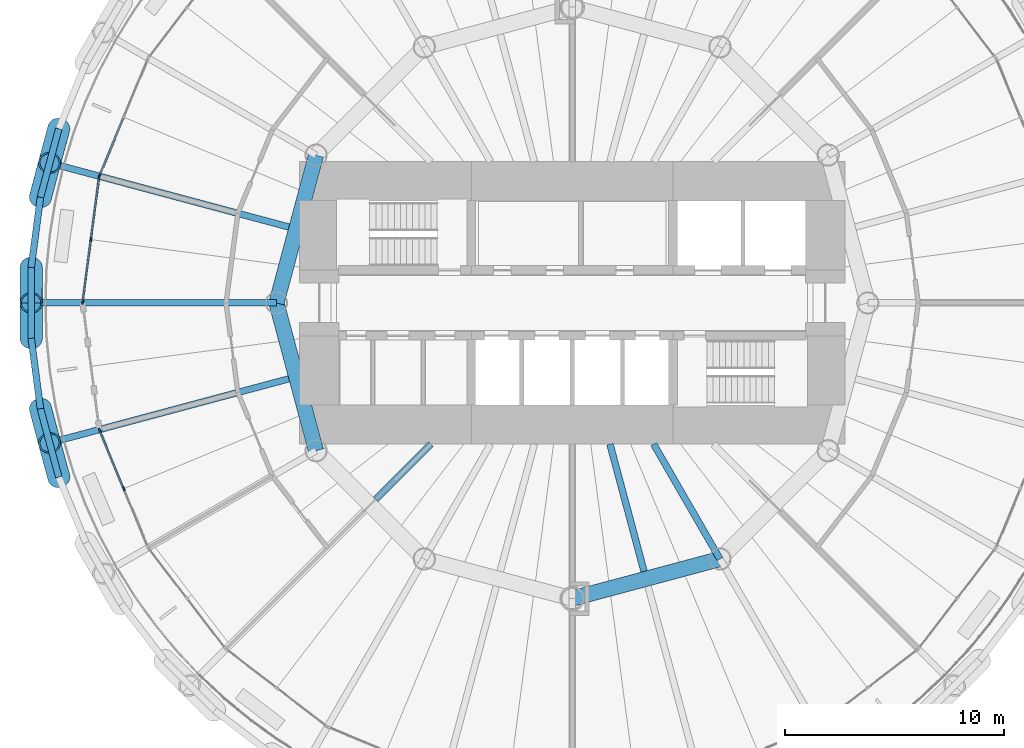
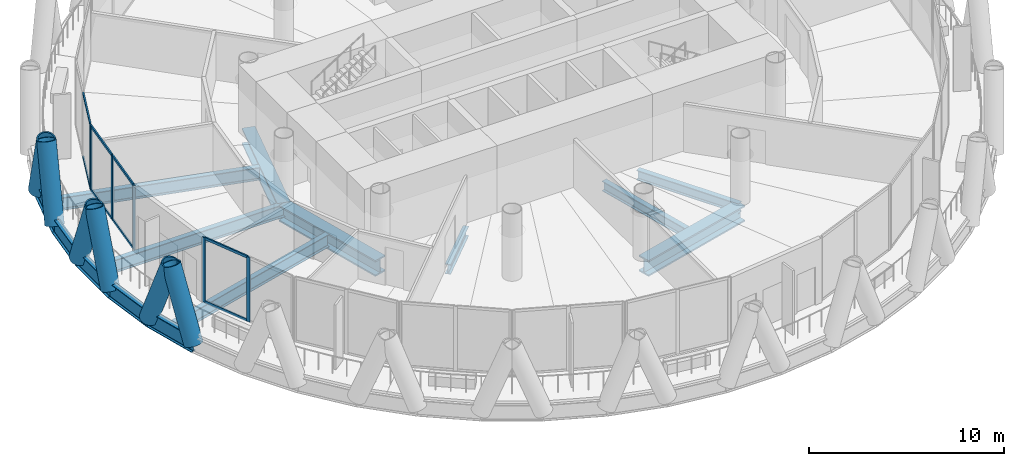
# One storey, part 3 of 15: 20 members, 14 beams, 3 elements without a shape of their own.
"""IFC4 building model written with IfcOpenShell, lengths in metres."""

from ifc_helpers import new_model, si_unit, direction, frame, origin, origin_2d, place, context, subcontext, project, spatial, rectangle, hollow_circle, i_section, extrude, material, material_profile, profile_set, type_object, element, aggregate, save


model = new_model("IFC4")

# Units and contexts
model_context = context("Model", 3, precision=1e-05, world=origin(), true_north=direction((0.0, 1.0)))
body_context = subcontext(model_context, "Body", "Model", "MODEL_VIEW")
ifc_project = project(units=[si_unit("LENGTHUNIT", "METRE"), si_unit("AREAUNIT", "SQUARE_METRE"), si_unit("VOLUMEUNIT", "CUBIC_METRE"), si_unit("PLANEANGLEUNIT", "RADIAN"), si_unit("MASSUNIT", "GRAM", prefix="KILO")], contexts=[model_context])

# Site, building, storey
site_placement = place(None, origin())
site = spatial("IfcSite", under=ifc_project, at=site_placement, CompositionType="ELEMENT")
building_placement = place(site_placement, origin())
building = spatial("IfcBuilding", under=site, at=building_placement, Name="Qaws Media Tower", CompositionType="ELEMENT")
storey_placement = place(building_placement, frame((0.0, 0.0, 156.199951171875)))
storey = spatial("IfcBuildingStorey", under=building, at=storey_placement, Name="L35", CompositionType="ELEMENT", Elevation=156.199951171875)

# Curtain wall, member
ifc_material_1 = material(Name="Aluminium and clear glass", Category="aluminium")
curtain_wall_type = type_object("IfcCurtainWallType", Name="Unitised curtain wall CW-B", PredefinedType="NOTDEFINED", material=ifc_material_1)
curtain_wall_1_placement = place(storey_placement, origin())
curtain_wall_1 = element("IfcCurtainWall", 1, at=curtain_wall_1_placement, inside=storey, type_object=curtain_wall_type, Name="CWB curtain wall L35-11", PredefinedType="NOTDEFINED")
ifc_material_2 = material(Name="Aluminium mullion", Category="aluminium")
ifc_material_profile_1 = material_profile(ifc_material_2, rectangle(XDim=0.080078125, YDim=0.199951171875, at=origin_2d()), Name="80x200")
ifc_profile_set_1 = profile_set([ifc_material_profile_1], Name="Aluminium mullion")
member_type_1 = type_object("IfcMemberType", Name="Curtain wall mullion 80x200", PredefinedType="MULLION", material=ifc_profile_set_1)
member_1_placement = place(storey_placement, frame((38.4267578125, 55.821533203125, 0.0), z_axis=(0.0, 0.0, 1.0), x_axis=(0.923879550772, -0.38268338828, 0.0)))
member_1 = element("IfcMember", 2, at=member_1_placement, type_object=member_type_1, Name="CWB mullion 3", PredefinedType="MULLION", context=body_context, shape_type="SweptSolid", body=[
    extrude(rectangle(XDim=0.080078125, YDim=0.199951171875, at=origin_2d()), origin(), (0.0, 0.0, 1.0), 4.0400390625),
])

# Curtain wall, members
curtain_wall_2_placement = place(storey_placement, origin())
curtain_wall_2 = element("IfcCurtainWall", 3, at=curtain_wall_2_placement, inside=storey, type_object=curtain_wall_type, Name="CWB curtain wall L35-12", PredefinedType="NOTDEFINED")
member_2_placement = place(storey_placement, frame((38.40625, 55.744873046875, 0.0), z_axis=(0.0, 0.0, 1.0), x_axis=(0.991444857547, -0.130526221291, 0.0)))
member_2 = element("IfcMember", 4, at=member_2_placement, type_object=member_type_1, Name="CWB mullion 1", PredefinedType="MULLION", context=body_context, shape_type="SweptSolid", body=[
    extrude(rectangle(XDim=0.080078125, YDim=0.199951171875, at=origin_2d()), origin(), (0.0, 0.0, 1.0), 4.0400390625),
])
member_3_placement = place(storey_placement, frame((38.03076171875, 52.892333984375, 0.0), z_axis=(0.0, 0.0, 1.0), x_axis=(0.991444857547, -0.130526221291, 0.0)))
member_3 = element("IfcMember", 5, at=member_3_placement, type_object=member_type_1, Name="CWB mullion 2", PredefinedType="MULLION", context=body_context, shape_type="SweptSolid", body=[
    extrude(rectangle(XDim=0.080078125, YDim=0.199951171875, at=origin_2d()), origin(), (0.0, 0.0, 1.0), 4.0400390625),
])
member_4_placement = place(storey_placement, frame((37.6552734375, 50.03955078125, 0.0), z_axis=(0.0, 0.0, 1.0), x_axis=(0.991444857547, -0.130526221291, 0.0)))
member_4 = element("IfcMember", 6, at=member_4_placement, type_object=member_type_1, Name="CWB mullion 3", PredefinedType="MULLION", context=body_context, shape_type="SweptSolid", body=[
    extrude(rectangle(XDim=0.080078125, YDim=0.199951171875, at=origin_2d()), origin(), (0.0, 0.0, 1.0), 4.0400390625),
])

curtain_wall_3_placement = place(storey_placement, origin())
curtain_wall_3 = element("IfcCurtainWall", 7, at=curtain_wall_3_placement, inside=storey, type_object=curtain_wall_type, Name="CWB curtain wall L35-14", PredefinedType="NOTDEFINED")
member_5_placement = place(storey_placement, frame((38.4267578125, 44.178466796875, 0.0), z_axis=(0.0, 0.0, 1.0), x_axis=(0.923879550772, 0.38268338828, 0.0)))
member_5 = element("IfcMember", 8, at=member_5_placement, type_object=member_type_1, Name="CWB mullion 1", PredefinedType="MULLION", context=body_context, shape_type="SweptSolid", body=[
    extrude(rectangle(XDim=0.080078125, YDim=0.199951171875, at=origin_2d()), origin(), (0.0, 0.0, 1.0), 4.0400390625),
])
member_6_placement = place(storey_placement, frame((39.52783203125, 41.520263671875, 0.0), z_axis=(0.0, 0.0, 1.0), x_axis=(0.923879550772, 0.38268338828, 0.0)))
member_6 = element("IfcMember", 9, at=member_6_placement, type_object=member_type_1, Name="CWB mullion 2", PredefinedType="MULLION", context=body_context, shape_type="SweptSolid", body=[
    extrude(rectangle(XDim=0.080078125, YDim=0.199951171875, at=origin_2d()), origin(), (0.0, 0.0, 1.0), 4.0400390625),
])

# Member
ifc_material_3 = material(Name="Aluminium transom", Category="aluminium")
ifc_material_profile_2 = material_profile(ifc_material_3, rectangle(XDim=0.080078125, YDim=0.159912109375, at=origin_2d()), Name="80x160")
ifc_profile_set_2 = profile_set([ifc_material_profile_2], Name="Aluminium transom")
member_type_2 = type_object("IfcMemberType", Name="Curtain wall transom 80x160", PredefinedType="USERDEFINED", material=ifc_profile_set_2)
member_7_placement = place(storey_placement, frame((39.5126953125, 58.44287109375, 0.0400390625), z_axis=(-0.382693505859, -0.923875359869, 0.0), x_axis=(0.923875359869, -0.382693505859, 0.0)))
member_7 = element("IfcMember", 10, at=member_7_placement, type_object=member_type_2, Name="CWB transom 2.1", ObjectType="TRANSOM", PredefinedType="USERDEFINED", context=body_context, shape_type="SweptSolid", body=[
    extrude(rectangle(XDim=0.080078125, YDim=0.159912109375, at=origin_2d()), origin(), (0.0, 0.0, 1.0), 2.79736328125),
])

member_8_placement = place(storey_placement, frame((39.5126953125, 58.44287109375, 4.0), z_axis=(-0.382693505859, -0.923875359869, 0.0), x_axis=(0.923875359869, -0.382693505859, 0.0)))
member_8 = element("IfcMember", 11, at=member_8_placement, type_object=member_type_2, Name="CWB transom 2.2", ObjectType="TRANSOM", PredefinedType="USERDEFINED", context=body_context, shape_type="SweptSolid", body=[
    extrude(rectangle(XDim=0.080078125, YDim=0.159912109375, at=origin_2d()), origin(), (0.0, 0.0, 1.0), 2.79736328125),
])

aggregate(curtain_wall_1, [member_1, member_7, member_8])

member_9_placement = place(storey_placement, frame((38.401123046875, 55.705322265625, 0.0400390625), z_axis=(-0.130562877322, -0.991440030998, 0.0), x_axis=(0.991440030998, -0.130562877322, 0.0)))
member_9 = element("IfcMember", 12, at=member_9_placement, type_object=member_type_2, Name="CWB transom 1.1", ObjectType="TRANSOM", PredefinedType="USERDEFINED", context=body_context, shape_type="SweptSolid", body=[
    extrude(rectangle(XDim=0.080078125, YDim=0.159912109375, at=origin_2d()), origin(), (0.0, 0.0, 1.0), 2.79736328125),
])

member_10_placement = place(storey_placement, frame((38.401123046875, 55.705322265625, 4.0), z_axis=(-0.130562877322, -0.991440030998, 0.0), x_axis=(0.991440030998, -0.130562877322, 0.0)))
member_10 = element("IfcMember", 13, at=member_10_placement, type_object=member_type_2, Name="CWB transom 1.2", ObjectType="TRANSOM", PredefinedType="USERDEFINED", context=body_context, shape_type="SweptSolid", body=[
    extrude(rectangle(XDim=0.080078125, YDim=0.159912109375, at=origin_2d()), origin(), (0.0, 0.0, 1.0), 2.79736328125),
])

member_11_placement = place(storey_placement, frame((38.025634765625, 52.8525390625, 0.0400390625), z_axis=(-0.130574175581, -0.991438543063, 0.0), x_axis=(0.991438543063, -0.130574175581, 0.0)))
member_11 = element("IfcMember", 14, at=member_11_placement, type_object=member_type_2, Name="CWB transom 2.1", ObjectType="TRANSOM", PredefinedType="USERDEFINED", context=body_context, shape_type="SweptSolid", body=[
    extrude(rectangle(XDim=0.080078125, YDim=0.159912109375, at=origin_2d()), origin(), (0.0, 0.0, 1.0), 2.797119140625),
])

member_12_placement = place(storey_placement, frame((38.025634765625, 52.8525390625, 4.0), z_axis=(-0.130574175581, -0.991438543063, 0.0), x_axis=(0.991438543063, -0.130574175581, 0.0)))
member_12 = element("IfcMember", 15, at=member_12_placement, type_object=member_type_2, Name="CWB transom 2.2", ObjectType="TRANSOM", PredefinedType="USERDEFINED", context=body_context, shape_type="SweptSolid", body=[
    extrude(rectangle(XDim=0.080078125, YDim=0.159912109375, at=origin_2d()), origin(), (0.0, 0.0, 1.0), 2.797119140625),
])

aggregate(curtain_wall_2, [member_2, member_3, member_4, member_9, member_10, member_11, member_12])

member_13_placement = place(storey_placement, frame((38.442138671875, 44.1416015625, 0.0400390625), z_axis=(0.382693505859, -0.923875359869, 0.0), x_axis=(0.923875359869, 0.382693505859, 0.0)))
member_13 = element("IfcMember", 16, at=member_13_placement, type_object=member_type_2, Name="CWB transom 1.1", ObjectType="TRANSOM", PredefinedType="USERDEFINED", context=body_context, shape_type="SweptSolid", body=[
    extrude(rectangle(XDim=0.080078125, YDim=0.159912109375, at=origin_2d()), origin(), (0.0, 0.0, 1.0), 2.79736328125),
])

member_14_placement = place(storey_placement, frame((38.442138671875, 44.1416015625, 4.0), z_axis=(0.382693505859, -0.923875359869, 0.0), x_axis=(0.923875359869, 0.382693505859, 0.0)))
member_14 = element("IfcMember", 17, at=member_14_placement, type_object=member_type_2, Name="CWB transom 1.2", ObjectType="TRANSOM", PredefinedType="USERDEFINED", context=body_context, shape_type="SweptSolid", body=[
    extrude(rectangle(XDim=0.080078125, YDim=0.159912109375, at=origin_2d()), origin(), (0.0, 0.0, 1.0), 2.79736328125),
])

aggregate(curtain_wall_3, [member_5, member_6, member_13, member_14])

# Members
ifc_material_4 = material(Name="Steel S460", Category="steel")
ifc_material_profile_3 = material_profile(ifc_material_4, hollow_circle(Radius=0.508056640625, WallThickness=0.070068359375, at=origin_2d()), Name="CHS 1016x70")
ifc_profile_set_3 = profile_set([ifc_material_profile_3], Name="Steel S460")
member_type_3 = type_object("IfcMemberType", Name="Diagrid member CHS 1016x70", PredefinedType="USERDEFINED", material=ifc_profile_set_3)
for number, where, z_axis, x_axis, name in (
    (18, (36.5634765625, 57.95556640625, -0.6640625), (-0.093722723881, -0.347175437247, 0.933105174565), (0.965439329962, -0.260627895981, 0.0), "DG3 diagrid L35 A11"),
    (19, (35.302978515625, 51.61865234375, -0.6640625), (-0.000650853916, -0.359596788515, 0.933107564045), (0.999998362036, -0.001809951786, 0.0), "DG3 diagrid L35 A12"),
):
    element("IfcMember", number, at=place(storey_placement, frame(where, z_axis=z_axis, x_axis=x_axis)), inside=storey, type_object=member_type_3, Name=name, ObjectType="DIAGRID", PredefinedType="USERDEFINED", context=body_context, shape_type="SweptSolid", body=[
        extrude(hollow_circle(Radius=0.508056640625, WallThickness=0.070068359375, at=origin_2d()), origin(), (0.0, 0.0, 1.0), 4.501220703125),
    ])
for number, where, z_axis, x_axis, name in (
    (20, (35.7255859375, 54.828369140625, -0.6640625), (0.092420027726, 0.347551371871, 0.933095162556), (-0.966414928875, 0.256986741386, 0.0), "DG3 diagrid L35 B12"),
    (21, (35.7255859375, 45.171630859375, -0.6640625), (0.092420027726, -0.347551371871, 0.933095162556), (0.966414928875, 0.256986741386, 0.0), "DG3 diagrid L35 A13"),
):
    element("IfcMember", number, at=place(storey_placement, frame(where, z_axis=z_axis, x_axis=x_axis)), inside=storey, type_object=member_type_3, Name=name, ObjectType="DIAGRID", PredefinedType="USERDEFINED", context=body_context, shape_type="SweptSolid", body=[
        extrude(hollow_circle(Radius=0.508056640625, WallThickness=0.070068359375, at=origin_2d()), origin(), (0.0, 0.0, 1.0), 4.50146484375),
    ])
for number, where, z_axis, x_axis, name in (
    (22, (35.302978515625, 48.38134765625, -0.6640625), (-0.000650853916, 0.359596788515, 0.933107564045), (-0.999998362036, -0.001809951786, 0.0), "DG3 diagrid L35 B13"),
    (23, (36.5634765625, 42.04443359375, -0.6640625), (-0.093722723881, 0.347175437247, 0.933105174565), (-0.965439329962, -0.260627895981, 0.0), "DG3 diagrid L35 B14"),
):
    element("IfcMember", number, at=place(storey_placement, frame(where, z_axis=z_axis, x_axis=x_axis)), inside=storey, type_object=member_type_3, Name=name, ObjectType="DIAGRID", PredefinedType="USERDEFINED", context=body_context, shape_type="SweptSolid", body=[
        extrude(hollow_circle(Radius=0.508056640625, WallThickness=0.070068359375, at=origin_2d()), origin(), (0.0, 0.0, 1.0), 4.501220703125),
    ])

# Beams
ifc_material_5 = material(Name="Steel S460", Category="steel")
ifc_material_profile_4 = material_profile(ifc_material_5, i_section(OverallWidth=0.302001953125, OverallDepth=1.008056640625, WebThickness=0.02099609375, FlangeThickness=0.0400390625, FilletRadius=0.030029296875, at=origin_2d()), Name="HE 1000 M")
ifc_profile_set_4 = profile_set([ifc_material_profile_4], Name="Steel S460")
beam_type_1 = type_object("IfcBeamType", Name="Edge ring beam HE 1000 M", PredefinedType="BEAM", material=ifc_profile_set_4)
beam_1_placement = place(storey_placement, frame((36.5634765625, 57.95556640625, -0.6640625), z_axis=(-0.258807702859, -0.965928865363, 0.0), x_axis=(0.965928865363, -0.258807702859, 0.0)))
element("IfcBeam", 24, at=beam_1_placement, inside=storey, type_object=beam_type_1, Name="RB3 edge ring beam L35-22", PredefinedType="BEAM", context=body_context, shape_type="SweptSolid", body=[
    extrude(i_section(OverallWidth=0.302001953125, OverallDepth=1.008056640625, WebThickness=0.02099609375, FlangeThickness=0.0400390625, FilletRadius=0.030029296875, at=origin_2d()), origin(), (0.0, 0.0, 1.0), 3.237548828125),
])
for number, where, z_axis, x_axis, name in (
    (25, (35.7255859375, 54.828369140625, -0.6640625), (-0.130538394622, -0.991443254821, 0.0), (0.991443254821, -0.130538394622, 0.0), "RB3 edge ring beam L35-23"),
    (26, (35.302978515625, 51.61865234375, -0.6640625), (0.0, -1.0, 0.0), (1.0, 0.0, 0.0), "RB3 edge ring beam L35-24"),
    (27, (35.302978515625, 48.38134765625, -0.6640625), (0.130538394622, -0.991443254821, 0.0), (0.991443254821, 0.130538394622, 0.0), "RB3 edge ring beam L35-25"),
):
    element("IfcBeam", number, at=place(storey_placement, frame(where, z_axis=z_axis, x_axis=x_axis)), inside=storey, type_object=beam_type_1, Name=name, PredefinedType="BEAM", context=body_context, shape_type="SweptSolid", body=[
        extrude(i_section(OverallWidth=0.302001953125, OverallDepth=1.008056640625, WebThickness=0.02099609375, FlangeThickness=0.0400390625, FilletRadius=0.030029296875, at=origin_2d()), origin(), (0.0, 0.0, 1.0), 3.2373046875),
    ])
beam_2_placement = place(storey_placement, frame((35.7255859375, 45.171630859375, -0.6640625), z_axis=(0.258807702859, -0.965928865363, 0.0), x_axis=(0.965928865363, 0.258807702859, 0.0)))
element("IfcBeam", 28, at=beam_2_placement, inside=storey, type_object=beam_type_1, Name="RB3 edge ring beam L35-26", PredefinedType="BEAM", context=body_context, shape_type="SweptSolid", body=[
    extrude(i_section(OverallWidth=0.302001953125, OverallDepth=1.008056640625, WebThickness=0.02099609375, FlangeThickness=0.0400390625, FilletRadius=0.030029296875, at=origin_2d()), origin(), (0.0, 0.0, 1.0), 3.237548828125),
])
ifc_material_6 = material(Name="Steel S460", Category="steel")
ifc_material_profile_5 = material_profile(ifc_material_6, i_section(OverallWidth=0.699951171875, OverallDepth=1.0, WebThickness=0.034912109375, FlangeThickness=0.090087890625, at=origin_2d()), Name="PG 1000x700")
ifc_profile_set_5 = profile_set([ifc_material_profile_5], Name="Steel S460")
beam_type_2 = type_object("IfcBeamType", Name="Inner ring girder PG 1000x700", PredefinedType="BEAM", material=ifc_profile_set_5)
for number, where, z_axis, x_axis, name in (
    (29, (48.30859375, 56.75, -0.659912109375), (-0.258810593767, -0.965928090778, 0.0), (0.965928090778, -0.258810593767, 0.0), "B3 inner ring beam L35 I06-I07"),
    (30, (46.5, 50.0, -0.659912109375), (0.258810593767, -0.965928090778, 0.0), (0.965928090778, 0.258810593767, 0.0), "B3 inner ring beam L35 I07-I08"),
    (31, (60.0, 36.5, -0.659912109375), (0.965928090778, 0.258810593767, 0.0), (-0.258810593767, 0.965928090778, 0.0), "B3 inner ring beam L35 I10-I11"),
):
    element("IfcBeam", number, at=place(storey_placement, frame(where, z_axis=z_axis, x_axis=x_axis)), inside=storey, type_object=beam_type_2, Name=name, PredefinedType="BEAM", context=body_context, shape_type="SweptSolid", body=[
        extrude(i_section(OverallWidth=0.699951171875, OverallDepth=1.0, WebThickness=0.034912109375, FlangeThickness=0.090087890625, at=origin_2d()), origin(), (0.0, 0.0, 1.0), 6.988037109375),
    ])
ifc_material_7 = material(Name="Steel S355", Category="steel")
ifc_material_profile_6 = material_profile(ifc_material_7, i_section(OverallWidth=0.304931640625, OverallDepth=0.6201171875, WebThickness=0.02099609375, FlangeThickness=0.0400390625, FilletRadius=0.027099609375, at=origin_2d()), Name="HE 600 M")
ifc_profile_set_6 = profile_set([ifc_material_profile_6], Name="Steel S355")
beam_type_3 = type_object("IfcBeamType", Name="Radial beam HE 600 M, core side", PredefinedType="BEAM", material=ifc_profile_set_6)
beam_3_placement = place(storey_placement, frame((53.550048828125, 43.550048828125, -0.469970703125), z_axis=(-0.707106781187, -0.707106781187, 0.0), x_axis=(0.707106781187, -0.707106781187, 0.0)))
element("IfcBeam", 32, at=beam_3_placement, inside=storey, type_object=beam_type_3, Name="B2 radial beam L35 16", PredefinedType="BEAM", context=body_context, shape_type="SweptSolid", body=[
    extrude(i_section(OverallWidth=0.304931640625, OverallDepth=0.6201171875, WebThickness=0.02099609375, FlangeThickness=0.0400390625, FilletRadius=0.027099609375, at=origin_2d()), origin(), (0.0, 0.0, 1.0), 3.568359375),
])
beam_4_placement = place(storey_placement, frame((61.728271484375, 43.550048828125, -0.469970703125), z_axis=(0.258819977482, -0.965925576458, 0.0), x_axis=(0.965925576458, 0.258819977482, 0.0)))
element("IfcBeam", 33, at=beam_4_placement, inside=storey, type_object=beam_type_3, Name="B2 radial beam L35 20", PredefinedType="BEAM", context=body_context, shape_type="SweptSolid", body=[
    extrude(i_section(OverallWidth=0.304931640625, OverallDepth=0.6201171875, WebThickness=0.02099609375, FlangeThickness=0.0400390625, FilletRadius=0.027099609375, at=origin_2d()), origin(), (0.0, 0.0, 1.0), 6.012451171875),
])
beam_5_placement = place(storey_placement, frame((63.723876953125, 43.550048828125, -0.469970703125), z_axis=(0.499995978368, -0.866027725662, 0.0), x_axis=(0.866027725662, 0.499995978368, 0.0)))
element("IfcBeam", 34, at=beam_5_placement, inside=storey, type_object=beam_type_3, Name="B2 radial beam L35 21", PredefinedType="BEAM", context=body_context, shape_type="SweptSolid", body=[
    extrude(i_section(OverallWidth=0.304931640625, OverallDepth=0.6201171875, WebThickness=0.02099609375, FlangeThickness=0.0400390625, FilletRadius=0.027099609375, at=origin_2d()), origin(), (0.0, 0.0, 1.0), 6.05224609375),
])
ifc_material_8 = material(Name="Steel S355", Category="steel")
ifc_material_profile_7 = material_profile(ifc_material_8, i_section(OverallWidth=0.300048828125, OverallDepth=0.800048828125, WebThickness=0.017578125, FlangeThickness=0.032958984375, FilletRadius=0.030029296875, at=origin_2d()), Name="HE 800 B")
ifc_profile_set_7 = profile_set([ifc_material_profile_7], Name="Steel S355")
beam_type_4 = type_object("IfcBeamType", Name="Radial beam HE 800 B", PredefinedType="BEAM", material=ifc_profile_set_7)
beam_6_placement = place(storey_placement, frame((47.066162109375, 53.465576171875, -0.56005859375), z_axis=(-0.965924245313, 0.258824945313, 0.0), x_axis=(-0.258824945313, -0.965924245313, 0.0)))
element("IfcBeam", 35, at=beam_6_placement, inside=storey, type_object=beam_type_4, Name="B1 radial beam L35 12", PredefinedType="BEAM", context=body_context, shape_type="SweptSolid", body=[
    extrude(i_section(OverallWidth=0.300048828125, OverallDepth=0.800048828125, WebThickness=0.017578125, FlangeThickness=0.032958984375, FilletRadius=0.030029296875, at=origin_2d()), origin(), (0.0, 0.0, 1.0), 11.306884765625),
])
beam_7_placement = place(storey_placement, frame((46.5, 50.0, -0.56005859375), z_axis=(-1.0, 0.0, 0.0), x_axis=(0.0, -1.0, 0.0)))
element("IfcBeam", 36, at=beam_7_placement, inside=storey, type_object=beam_type_4, Name="B1 radial beam L35 13", PredefinedType="BEAM", context=body_context, shape_type="SweptSolid", body=[
    extrude(i_section(OverallWidth=0.300048828125, OverallDepth=0.800048828125, WebThickness=0.017578125, FlangeThickness=0.032958984375, FilletRadius=0.030029296875, at=origin_2d()), origin(), (0.0, 0.0, 1.0), 11.197021484375),
])
beam_8_placement = place(storey_placement, frame((47.066162109375, 46.534423828125, -0.56005859375), z_axis=(-0.965924245313, -0.258824945313, 0.0), x_axis=(0.258824945313, -0.965924245313, 0.0)))
element("IfcBeam", 37, at=beam_8_placement, inside=storey, type_object=beam_type_4, Name="B1 radial beam L35 14", PredefinedType="BEAM", context=body_context, shape_type="SweptSolid", body=[
    extrude(i_section(OverallWidth=0.300048828125, OverallDepth=0.800048828125, WebThickness=0.017578125, FlangeThickness=0.032958984375, FilletRadius=0.030029296875, at=origin_2d()), origin(), (0.0, 0.0, 1.0), 11.306884765625),
])

save(model, "model.ifc")
